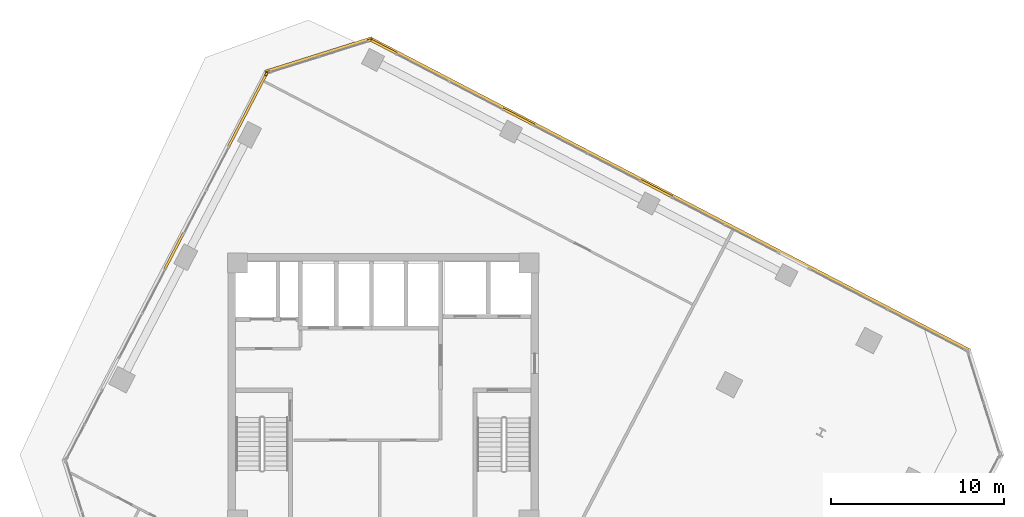
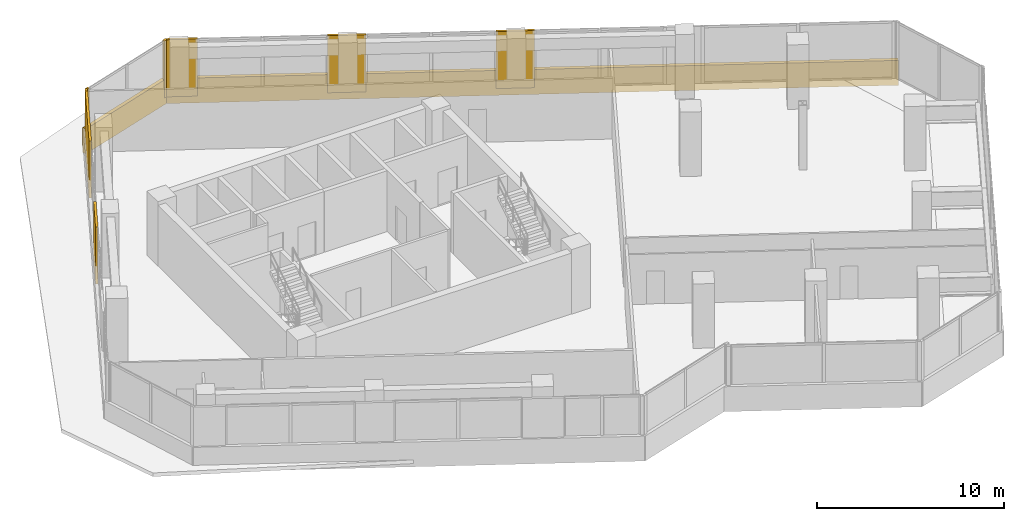
# One storey, part 22 of 22: 10 coverings.
"""IFC4 building model written with IfcOpenShell, lengths in metres."""

from ifc_helpers import new_model, si_unit, direction, frame, origin, origin_2d, place, context, subcontext, project, spatial, rectangle, extrude, source, transform, mapped, material, layer, layer_set, type_object, element, save


model = new_model("IFC4")

# Units and contexts
model_context = context("Model", 3, precision=1e-05, world=origin(), true_north=direction((0.0, 1.0)))
body_context = subcontext(model_context, "Body", "Model", "MODEL_VIEW")
ifc_project = project(units=[si_unit("LENGTHUNIT", "METRE"), si_unit("AREAUNIT", "SQUARE_METRE"), si_unit("VOLUMEUNIT", "CUBIC_METRE"), si_unit("PLANEANGLEUNIT", "RADIAN"), si_unit("MASSUNIT", "GRAM", prefix="KILO")], contexts=[model_context])

# Site, building, storey
site_placement = place(None, origin())
site = spatial("IfcSite", under=ifc_project, at=site_placement, CompositionType="ELEMENT")
building_placement = place(site_placement, origin())
building = spatial("IfcBuilding", under=site, at=building_placement, Name="Torre Montelarca", CompositionType="ELEMENT")
storey_placement = place(building_placement, frame((0.0, 0.0, 166.60009765625)))
storey = spatial("IfcBuildingStorey", under=building, at=storey_placement, Name="L37", CompositionType="ELEMENT", Elevation=166.60009765625)

# Coverings
ifc_material = material(Name="Bush-hammered warm white precast concrete C45/55", Category="concrete")
ifc_layer = layer(ifc_material, 0.139892578125, Name="Bush-hammered warm white precast concrete C45/55", Category="concrete")
ifc_layer_set = layer_set([ifc_layer], Name="Bush-hammered warm white precast concrete C45/55")
covering_type = type_object("IfcCoveringType", Name="COV-TRAY-CLAD", PredefinedType="CLADDING", material=ifc_layer_set)
shared_shape_1 = source(origin(), body_context, "Body", "SweptSolid", [
    extrude(rectangle(XDim=6.48388671875, YDim=0.219970703125, at=origin_2d()), origin(), (0.0, 0.0, 1.0), 1.6201171875),
])
covering_1_placement = place(storey_placement, frame((14.24609375, 51.479248046875, -0.4501953125), z_axis=(0.0, 0.0, 1.0), x_axis=(-0.953715901081, -0.300709128603, 0.0)))
element("IfcCovering", 1, at=covering_1_placement, inside=storey, type_object=covering_type, Name="L37 Architectural White Spandrel Tray Band TRYBOT-09", PredefinedType="CLADDING", context=body_context, shape_type="MappedRepresentation", body=[
    mapped(shared_shape_1, transform((0.0, 0.0, 0.0), scale=1.0)),
])
shared_shape_2 = source(origin(), body_context, "Body", "SweptSolid", [
    extrude(rectangle(XDim=0.199951171875, YDim=0.139892578125, at=origin_2d()), origin(), (0.0, 0.0, 1.0), 3.719970703125),
])
for number, where, z_axis, x_axis, name in (
    (2, (17.1884765625, 52.343994140625, 0.0), (0.0, 0.0, 1.0), (-0.953716950748, -0.300705799504, 0.0), "L37 Architectural Column Pier Cladding E09-1"),
    (3, (11.33984375, 50.5, 0.0), (0.0, 0.0, 1.0), (-0.953716950748, -0.300705799504, 0.0), "L37 Architectural Column Pier Cladding E09-2"),
    (4, (11.228759765625, 50.40673828125, 0.0), (0.0, 0.0, 1.0), (-0.46174551698, -0.88701244498, 0.0), "L37 Architectural Column Pier Cladding E10-1"),
):
    element("IfcCovering", number, at=place(storey_placement, frame(where, z_axis=z_axis, x_axis=x_axis)), inside=storey, type_object=covering_type, Name=name, PredefinedType="CLADDING", context=body_context, shape_type="MappedRepresentation", body=[
        mapped(shared_shape_2, transform((0.0, 0.0, 0.0), scale=1.0)),
    ])
shared_shape_3 = source(origin(), body_context, "Body", "SweptSolid", [
    extrude(rectangle(XDim=4.76416015625, YDim=0.139892578125, at=origin_2d()), origin(), (0.0, 0.0, 1.0), 3.719970703125),
])
covering_2_placement = place(storey_placement, frame((10.12890625, 48.293701171875, 0.0), z_axis=(0.0, 0.0, 1.0), x_axis=(-0.46174551698, -0.88701244498, 0.0)))
element("IfcCovering", 5, at=covering_2_placement, inside=storey, type_object=covering_type, Name="L37 Architectural Column Pier Cladding E10-2", PredefinedType="CLADDING", context=body_context, shape_type="MappedRepresentation", body=[
    mapped(shared_shape_3, transform((0.0, 0.0, 0.0), scale=1.0)),
])
shared_shape_4 = source(origin(), body_context, "Body", "SweptSolid", [
    extrude(rectangle(XDim=2.360107421875, YDim=0.139892578125, at=origin_2d()), origin(), (0.0, 0.0, 1.0), 3.719970703125),
])
covering_3_placement = place(storey_placement, frame((5.8798828125, 40.13134765625, 0.0), z_axis=(0.0, 0.0, 1.0), x_axis=(-0.46174551698, -0.88701244498, 0.0)))
element("IfcCovering", 6, at=covering_3_placement, inside=storey, type_object=covering_type, Name="L37 Architectural Column Pier Cladding E10-3", PredefinedType="CLADDING", context=body_context, shape_type="MappedRepresentation", body=[
    mapped(shared_shape_4, transform((0.0, 0.0, 0.0), scale=1.0)),
])
shared_shape_5 = source(origin(), body_context, "Body", "SweptSolid", [
    extrude(rectangle(XDim=39.219970703125, YDim=0.219970703125, at=origin_2d()), origin(), (0.0, 0.0, 1.0), 1.6201171875),
])
covering_4_placement = place(storey_placement, frame((34.59912109375, 43.410888671875, -0.4501953125), z_axis=(0.0, 0.0, 1.0), x_axis=(-0.887010027274, 0.46175016136, 0.0)))
element("IfcCovering", 7, at=covering_4_placement, inside=storey, type_object=covering_type, Name="L37 Architectural White Spandrel Tray Band TRYBOT-08", PredefinedType="CLADDING", context=body_context, shape_type="MappedRepresentation", body=[
    mapped(shared_shape_5, transform((0.0, 0.0, 0.0), scale=1.0)),
])
shared_shape_6 = source(origin(), body_context, "Body", "SweptSolid", [
    extrude(rectangle(XDim=2.06005859375, YDim=0.139892578125, at=origin_2d()), origin(), (0.0, 0.0, 1.0), 3.719970703125),
])
for number, where, z_axis, x_axis, name in (
    (8, (33.8173828125, 43.75, 0.0), (0.0, 0.0, 1.0), (-0.887010833178, 0.461748613235, 0.0), "L37 Architectural Column Pier Cladding E08-3"),
    (9, (25.834228515625, 47.906005859375, 0.0), (0.0, 0.0, 1.0), (-0.887010833178, 0.461748613235, 0.0), "L37 Architectural Column Pier Cladding E08-4"),
):
    element("IfcCovering", number, at=place(storey_placement, frame(where, z_axis=z_axis, x_axis=x_axis)), inside=storey, type_object=covering_type, Name=name, PredefinedType="CLADDING", context=body_context, shape_type="MappedRepresentation", body=[
        mapped(shared_shape_6, transform((0.0, 0.0, 0.0), scale=1.0)),
    ])
shared_shape_7 = source(origin(), body_context, "Body", "SweptSolid", [
    extrude(rectangle(XDim=1.71435546875, YDim=0.139892578125, at=origin_2d()), origin(), (0.0, 0.0, 1.0), 3.719970703125),
])
covering_5_placement = place(storey_placement, frame((18.00439453125, 51.981689453125, 0.0), z_axis=(0.0, 0.0, 1.0), x_axis=(-0.887010833178, 0.461748613235, 0.0)))
element("IfcCovering", 10, at=covering_5_placement, inside=storey, type_object=covering_type, Name="L37 Architectural Column Pier Cladding E08-5", PredefinedType="CLADDING", context=body_context, shape_type="MappedRepresentation", body=[
    mapped(shared_shape_7, transform((0.0, 0.0, 0.0), scale=1.0)),
])

save(model, "model.ifc")
